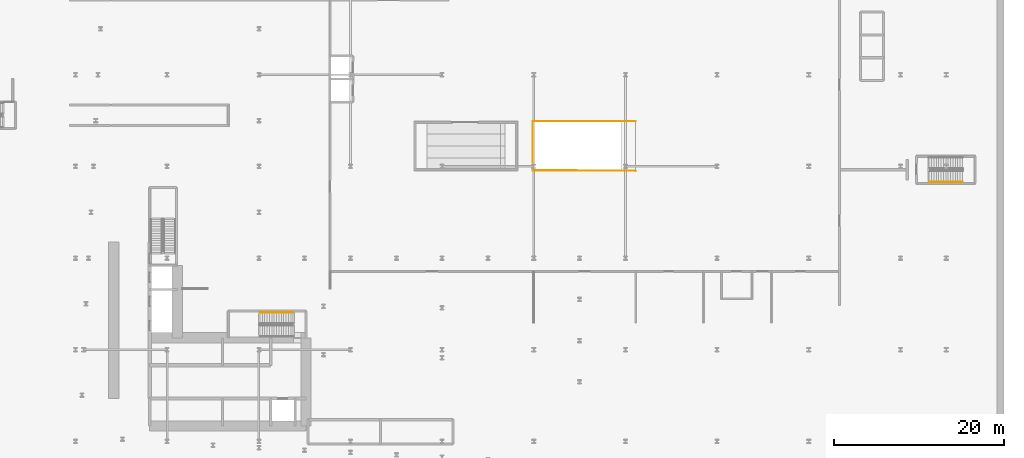
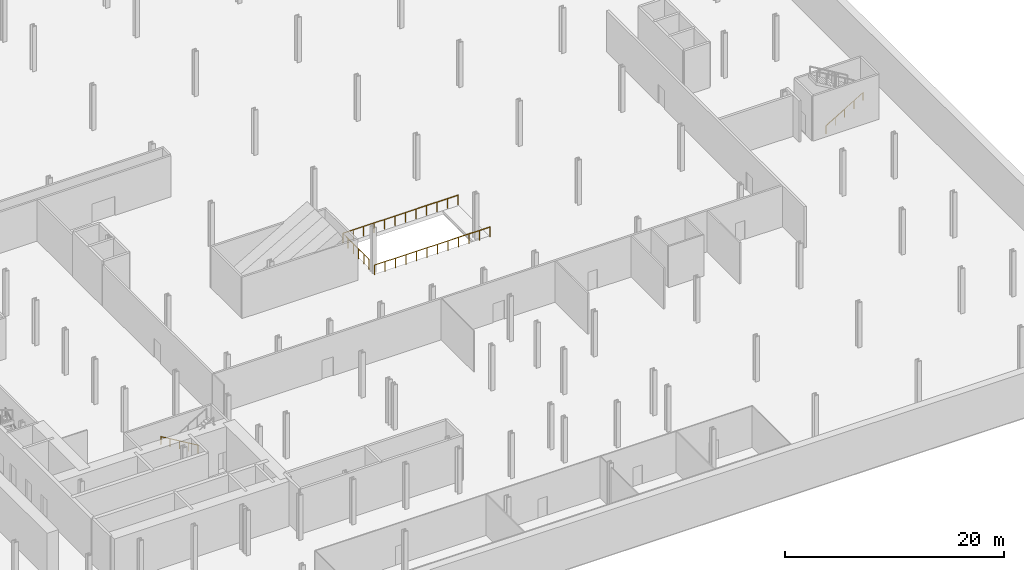
# One storey, part 17 of 19: 4 railings.
"""IFC4 building model written with IfcOpenShell, lengths in metres."""

from ifc_helpers import new_model, si_unit, direction, frame, origin, origin_2d, place, context, subcontext, project, spatial, circle, extrude, material, type_object, element, save


model = new_model("IFC4")

# Units and contexts
model_context = context("Model", 3, precision=1e-05, world=origin(), true_north=direction((0.0, 1.0)))
body_context = subcontext(model_context, "Body", "Model", "MODEL_VIEW")
ifc_project = project(units=[si_unit("LENGTHUNIT", "METRE"), si_unit("AREAUNIT", "SQUARE_METRE"), si_unit("VOLUMEUNIT", "CUBIC_METRE"), si_unit("PLANEANGLEUNIT", "RADIAN"), si_unit("MASSUNIT", "GRAM", prefix="KILO")], contexts=[model_context])

# Site, building, storey
site_placement = place(None, origin())
site = spatial("IfcSite", under=ifc_project, at=site_placement, CompositionType="ELEMENT")
building_placement = place(site_placement, origin())
building = spatial("IfcBuilding", under=site, at=building_placement, Name="Kheshtan School and Residences Tower", CompositionType="ELEMENT")
storey_placement = place(building_placement, frame((0.0, 0.0, -5.0)))
storey = spatial("IfcBuildingStorey", under=building, at=storey_placement, Name="B1", CompositionType="ELEMENT", Elevation=-5.0)

# Railings
ifc_material_1 = material(Name="Stainless steel balustrade", Category="steel")
railing_type_1 = type_object("IfcRailingType", Name="Stair guard 1100", PredefinedType="GUARDRAIL", material=ifc_material_1)
railing_1_placement = place(storey_placement, frame((92.0, 55.8798828125, 0.0)))
element("IfcRailing", 1, at=railing_1_placement, inside=storey, type_object=railing_type_1, Name="Guard B1 1", PredefinedType="GUARDRAIL", context=body_context, shape_type="SweptSolid", body=[
    extrude(circle(Radius=0.02392578125, at=origin_2d()), frame((0.0, 0.0, 1.076171875), z_axis=(-0.999998635846, 0.001651758282, 0.0), x_axis=(-0.001651758282, -0.999998635846, 0.0)), (0.0, 0.0, 1.0), 12.1201171875),
    extrude(circle(Radius=0.02099609375, at=origin_2d()), origin(), (0.0, 0.0, 1.0), 1.052001953125),
    extrude(circle(Radius=0.02099609375, at=origin_2d()), frame((-1.101806640625, 0.001708984375, 0.0)), (0.0, 0.0, 1.0), 1.052001953125),
    extrude(circle(Radius=0.02099609375, at=origin_2d()), frame((-2.20361328125, 0.003662109375, 0.0)), (0.0, 0.0, 1.0), 1.052001953125),
    extrude(circle(Radius=0.02099609375, at=origin_2d()), frame((-3.305419921875, 0.00537109375, 0.0)), (0.0, 0.0, 1.0), 1.052001953125),
    extrude(circle(Radius=0.02099609375, at=origin_2d()), frame((-4.4072265625, 0.00732421875, 0.0)), (0.0, 0.0, 1.0), 1.052001953125),
    extrude(circle(Radius=0.02099609375, at=origin_2d()), frame((-5.509033203125, 0.009033203125, 0.0)), (0.0, 0.0, 1.0), 1.052001953125),
    extrude(circle(Radius=0.02099609375, at=origin_2d()), frame((-6.611083984375, 0.010986328125, 0.0)), (0.0, 0.0, 1.0), 1.052001953125),
    extrude(circle(Radius=0.02099609375, at=origin_2d()), frame((-7.712890625, 0.0126953125, 0.0)), (0.0, 0.0, 1.0), 1.052001953125),
    extrude(circle(Radius=0.02099609375, at=origin_2d()), frame((-8.814697265625, 0.0146484375, 0.0)), (0.0, 0.0, 1.0), 1.052001953125),
    extrude(circle(Radius=0.02099609375, at=origin_2d()), frame((-9.91650390625, 0.016357421875, 0.0)), (0.0, 0.0, 1.0), 1.052001953125),
    extrude(circle(Radius=0.02099609375, at=origin_2d()), frame((-11.018310546875, 0.018310546875, 0.0)), (0.0, 0.0, 1.0), 1.052001953125),
    extrude(circle(Radius=0.02099609375, at=origin_2d()), frame((-12.1201171875, 0.02001953125, 0.0)), (0.0, 0.0, 1.0), 1.052001953125),
])
railing_2_placement = place(storey_placement, frame((79.8798828125, 56.89990234375, 0.0)))
element("IfcRailing", 2, at=railing_2_placement, inside=storey, type_object=railing_type_1, Name="Guard B1 2", PredefinedType="GUARDRAIL", context=body_context, shape_type="SweptSolid", body=[
    extrude(circle(Radius=0.02392578125, at=origin_2d()), frame((0.0, 0.0, 1.076171875), z_axis=(0.0, 1.0, 0.0), x_axis=(-1.0, 0.0, 0.0)), (0.0, 0.0, 1.0), 4.820068359375),
    extrude(circle(Radius=0.02392578125, at=origin_2d()), frame((0.0, 4.820068359375, 1.076171875), z_axis=(1.0, 0.0, 0.0), x_axis=(0.0, 1.0, 0.0)), (0.0, 0.0, 1.0), 12.1201171875),
    extrude(circle(Radius=0.02099609375, at=origin_2d()), origin(), (0.0, 0.0, 1.0), 1.052001953125),
    extrude(circle(Radius=0.02099609375, at=origin_2d()), frame((0.0, 0.964111328125, 0.0)), (0.0, 0.0, 1.0), 1.052001953125),
    extrude(circle(Radius=0.02099609375, at=origin_2d()), frame((0.0, 1.927978515625, 0.0)), (0.0, 0.0, 1.0), 1.052001953125),
    extrude(circle(Radius=0.02099609375, at=origin_2d()), frame((0.0, 2.89208984375, 0.0)), (0.0, 0.0, 1.0), 1.052001953125),
    extrude(circle(Radius=0.02099609375, at=origin_2d()), frame((0.0, 3.85595703125, 0.0)), (0.0, 0.0, 1.0), 1.052001953125),
    extrude(circle(Radius=0.02099609375, at=origin_2d()), frame((0.0, 4.820068359375, 0.0)), (0.0, 0.0, 1.0), 1.052001953125),
    extrude(circle(Radius=0.02099609375, at=origin_2d()), frame((1.101806640625, 4.820068359375, 0.0)), (0.0, 0.0, 1.0), 1.052001953125),
    extrude(circle(Radius=0.02099609375, at=origin_2d()), frame((2.20361328125, 4.820068359375, 0.0)), (0.0, 0.0, 1.0), 1.052001953125),
    extrude(circle(Radius=0.02099609375, at=origin_2d()), frame((3.305419921875, 4.820068359375, 0.0)), (0.0, 0.0, 1.0), 1.052001953125),
    extrude(circle(Radius=0.02099609375, at=origin_2d()), frame((4.4072265625, 4.820068359375, 0.0)), (0.0, 0.0, 1.0), 1.052001953125),
    extrude(circle(Radius=0.02099609375, at=origin_2d()), frame((5.509033203125, 4.820068359375, 0.0)), (0.0, 0.0, 1.0), 1.052001953125),
    extrude(circle(Radius=0.02099609375, at=origin_2d()), frame((6.611083984375, 4.820068359375, 0.0)), (0.0, 0.0, 1.0), 1.052001953125),
    extrude(circle(Radius=0.02099609375, at=origin_2d()), frame((7.712890625, 4.820068359375, 0.0)), (0.0, 0.0, 1.0), 1.052001953125),
    extrude(circle(Radius=0.02099609375, at=origin_2d()), frame((8.814697265625, 4.820068359375, 0.0)), (0.0, 0.0, 1.0), 1.052001953125),
    extrude(circle(Radius=0.02099609375, at=origin_2d()), frame((9.91650390625, 4.820068359375, 0.0)), (0.0, 0.0, 1.0), 1.052001953125),
    extrude(circle(Radius=0.02099609375, at=origin_2d()), frame((11.018310546875, 4.820068359375, 0.0)), (0.0, 0.0, 1.0), 1.052001953125),
    extrude(circle(Radius=0.02099609375, at=origin_2d()), frame((12.1201171875, 4.820068359375, 0.0)), (0.0, 0.0, 1.0), 1.052001953125),
])
ifc_material_2 = material(Name="Stainless steel handrail", Category="steel")
railing_type_2 = type_object("IfcRailingType", Name="Stair handrail 900", PredefinedType="HANDRAIL", material=ifc_material_2)
railing_3_placement = place(storey_placement, frame((51.64990234375, 39.199951171875, 0.166748046875)))
element("IfcRailing", 3, at=railing_3_placement, inside=storey, type_object=railing_type_2, Name="B1 ST1 stair handrail 1", PredefinedType="HANDRAIL", context=body_context, shape_type="SweptSolid", body=[
    extrude(circle(Radius=0.02392578125, at=origin_2d()), frame((0.0, 0.0, 0.8759765625), z_axis=(-0.859296244711, 0.0, 0.511478214419), x_axis=(0.0, -1.0, 0.0)), (0.0, 0.0, 1.0), 4.561767578125),
    extrude(circle(Radius=0.02099609375, at=origin_2d()), origin(), (0.0, 0.0, 1.0), 0.851806640625),
    extrude(circle(Radius=0.02099609375, at=origin_2d()), frame((-0.97998046875, 0.0, 0.583251953125)), (0.0, 0.0, 1.0), 0.851806640625),
    extrude(circle(Radius=0.02099609375, at=origin_2d()), frame((-1.9599609375, 0.0, 1.16650390625)), (0.0, 0.0, 1.0), 0.851806640625),
    extrude(circle(Radius=0.02099609375, at=origin_2d()), frame((-2.93994140625, 0.0, 1.75)), (0.0, 0.0, 1.0), 0.851806640625),
    extrude(circle(Radius=0.02099609375, at=origin_2d()), frame((-3.919921875, 0.0, 2.333251953125)), (0.0, 0.0, 1.0), 0.851806640625),
])
railing_4_placement = place(storey_placement, frame((126.580078125, 54.550048828125, 0.166748046875)))
element("IfcRailing", 4, at=railing_4_placement, inside=storey, type_object=railing_type_2, Name="B1 SS-east stair handrail 1", PredefinedType="HANDRAIL", context=body_context, shape_type="SweptSolid", body=[
    extrude(circle(Radius=0.02392578125, at=origin_2d()), frame((0.0, 0.0, 0.8759765625), z_axis=(0.859296244711, 0.0, 0.511478214419), x_axis=(0.0, 1.0, 0.0)), (0.0, 0.0, 1.0), 4.561767578125),
    extrude(circle(Radius=0.02099609375, at=origin_2d()), origin(), (0.0, 0.0, 1.0), 0.851806640625),
    extrude(circle(Radius=0.02099609375, at=origin_2d()), frame((0.97998046875, 0.0, 0.583251953125)), (0.0, 0.0, 1.0), 0.851806640625),
    extrude(circle(Radius=0.02099609375, at=origin_2d()), frame((1.9599609375, 0.0, 1.16650390625)), (0.0, 0.0, 1.0), 0.851806640625),
    extrude(circle(Radius=0.02099609375, at=origin_2d()), frame((2.93994140625, 0.0, 1.75)), (0.0, 0.0, 1.0), 0.851806640625),
    extrude(circle(Radius=0.02099609375, at=origin_2d()), frame((3.919921875, 0.0, 2.333251953125)), (0.0, 0.0, 1.0), 0.851806640625),
])

save(model, "model.ifc")
